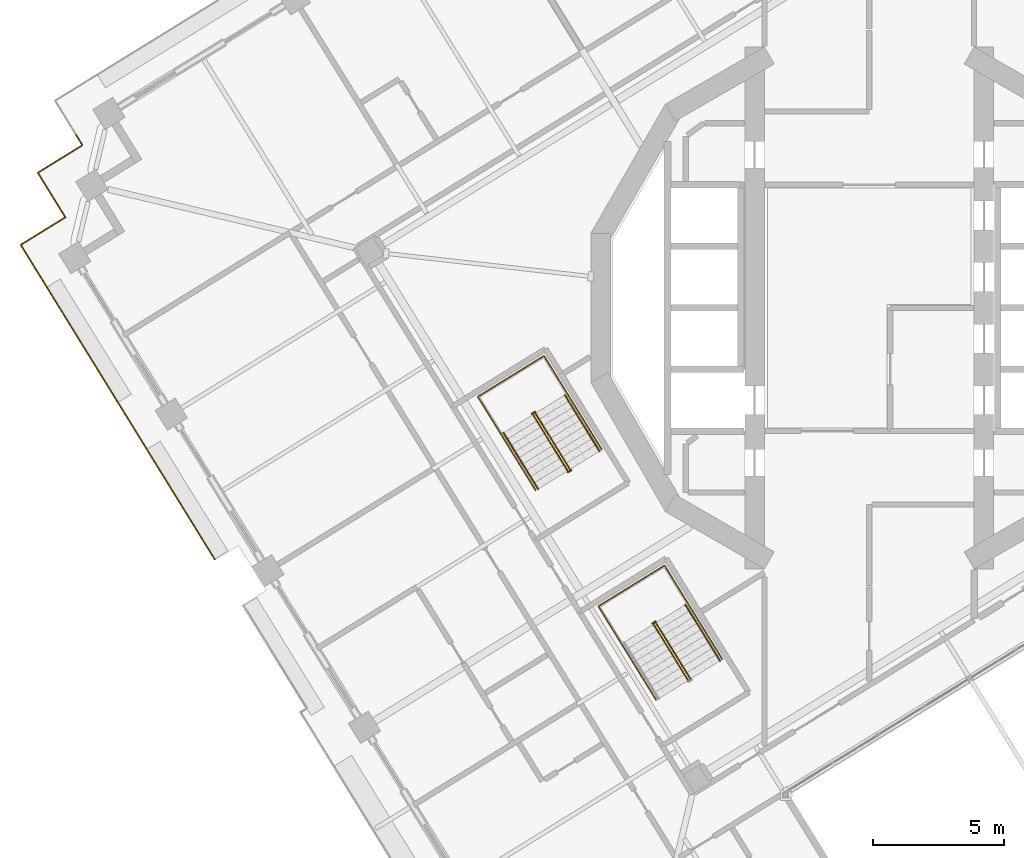
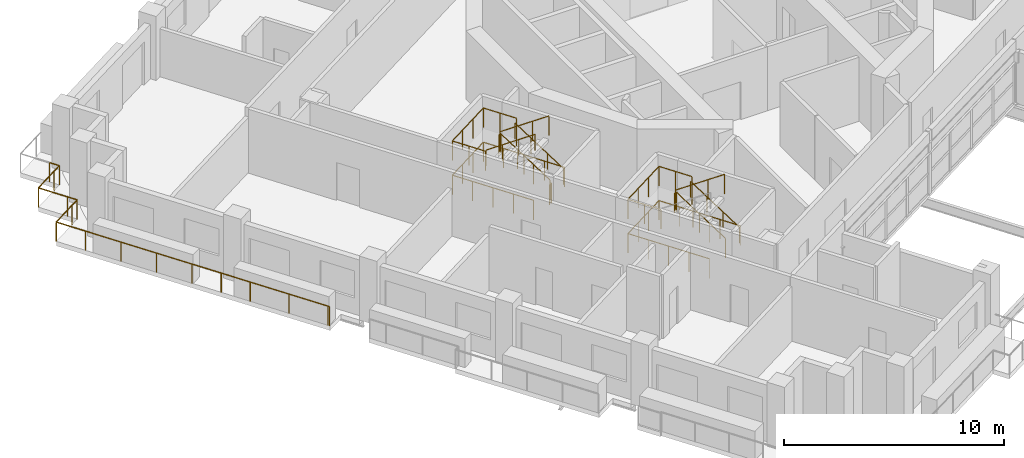
# One storey, part 17 of 22: 13 railings.
"""IFC4 building model written with IfcOpenShell, lengths in metres."""

from ifc_helpers import new_model, si_unit, direction, frame, origin, origin_2d, place, context, subcontext, project, spatial, circle, extrude, material, type_object, element, save


model = new_model("IFC4")

# Units and contexts
model_context = context("Model", 3, precision=1e-05, world=origin(), true_north=direction((0.0, 1.0)))
body_context = subcontext(model_context, "Body", "Model", "MODEL_VIEW")
ifc_project = project(units=[si_unit("LENGTHUNIT", "METRE"), si_unit("AREAUNIT", "SQUARE_METRE"), si_unit("VOLUMEUNIT", "CUBIC_METRE"), si_unit("PLANEANGLEUNIT", "RADIAN"), si_unit("MASSUNIT", "GRAM", prefix="KILO")], contexts=[model_context])

# Site, building, storey
site_placement = place(None, origin())
site = spatial("IfcSite", under=ifc_project, at=site_placement, CompositionType="ELEMENT")
building_placement = place(site_placement, origin())
building = spatial("IfcBuilding", under=site, at=building_placement, Name="Cantera Rosa Tower", CompositionType="ELEMENT")
storey_placement = place(building_placement, frame((0.0, 0.0, 174.199951171875)))
storey = spatial("IfcBuildingStorey", under=building, at=storey_placement, Name="L38", CompositionType="ELEMENT", Elevation=174.199951171875)

# Railings
ifc_material_1 = material(Name="Stainless steel and laminated glass", Category="steel")
railing_type_1 = type_object("IfcRailingType", Name="GUARD 1100", PredefinedType="BALUSTRADE", material=ifc_material_1)
railing_1_placement = place(storey_placement, frame((-24.977783203125, -9.602294921875, 0.0)))
element("IfcRailing", 1, at=railing_1_placement, inside=storey, type_object=railing_type_1, Name="GUARD L38-6", PredefinedType="BALUSTRADE", context=body_context, shape_type="SweptSolid", body=[
    extrude(circle(Radius=0.030029296875, at=origin_2d()), frame((0.0, 0.0, 1.070068359375), z_axis=(-0.523707774199, 0.851897979364, 0.0), x_axis=(-0.851897979364, -0.523707774199, 0.0)), (0.0, 0.0, 1.0), 0.06982421875),
    extrude(circle(Radius=0.030029296875, at=origin_2d()), frame((-0.03662109375, 0.0595703125, 1.070068359375), z_axis=(-0.525022161202, 0.851088556054, 0.0), x_axis=(-0.851088556054, -0.525022161202, 0.0)), (0.0, 0.0, 1.0), 4.02001953125),
    extrude(circle(Radius=0.030029296875, at=origin_2d()), frame((-2.147216796875, 3.48095703125, 1.070068359375), z_axis=(-0.524964362564, 0.851124208349, 0.0), x_axis=(-0.851124208349, -0.524964362564, 0.0)), (0.0, 0.0, 1.0), 3.0),
    extrude(circle(Radius=0.030029296875, at=origin_2d()), frame((-3.72216796875, 6.034423828125, 1.070068359375), z_axis=(-0.524968277683, 0.851121793533, 0.0), x_axis=(-0.851121793533, -0.524968277683, 0.0)), (0.0, 0.0, 1.0), 5.519775390625),
    extrude(circle(Radius=0.030029296875, at=origin_2d()), frame((-6.619873046875, 10.732421875, 1.070068359375), z_axis=(-0.524986950369, 0.851110276017, 0.0), x_axis=(-0.851110276017, -0.524986950369, 0.0)), (0.0, 0.0, 1.0), 1.500244140625),
    extrude(circle(Radius=0.030029296875, at=origin_2d()), frame((-7.407470703125, 12.00927734375, 1.070068359375), z_axis=(0.85118298814, 0.524869051004, 0.0), x_axis=(-0.524869051004, 0.85118298814, 0.0)), (0.0, 0.0, 1.0), 1.5),
    extrude(circle(Radius=0.030029296875, at=origin_2d()), frame((-6.130615234375, 12.796630859375, 1.070068359375), z_axis=(0.851138143202, 0.52494176933, 0.0), x_axis=(-0.52494176933, 0.851138143202, 0.0)), (0.0, 0.0, 1.0), 0.5),
    extrude(circle(Radius=0.030029296875, at=origin_2d()), frame((-5.705078125, 13.05908203125, 1.070068359375), z_axis=(-0.52494176933, 0.851138143202, 0.0), x_axis=(-0.851138143202, -0.52494176933, 0.0)), (0.0, 0.0, 1.0), 0.5),
    extrude(circle(Radius=0.030029296875, at=origin_2d()), frame((-5.967529296875, 13.484619140625, 1.070068359375), z_axis=(-0.524986950369, 0.851110276017, 0.0), x_axis=(-0.851110276017, -0.524986950369, 0.0)), (0.0, 0.0, 1.0), 1.500244140625),
    extrude(circle(Radius=0.030029296875, at=origin_2d()), frame((-6.755126953125, 14.761474609375, 1.070068359375), z_axis=(0.851138143202, 0.52494176933, 0.0), x_axis=(-0.52494176933, 0.851138143202, 0.0)), (0.0, 0.0, 1.0), 1.5),
    extrude(circle(Radius=0.030029296875, at=origin_2d()), frame((-5.478515625, 15.548828125, 1.070068359375), z_axis=(0.851138143202, 0.52494176933, 0.0), x_axis=(-0.52494176933, 0.851138143202, 0.0)), (0.0, 0.0, 1.0), 0.5),
    extrude(circle(Radius=0.030029296875, at=origin_2d()), frame((-5.052978515625, 15.811279296875, 1.070068359375), z_axis=(-0.52494176933, 0.851138143202, 0.0), x_axis=(-0.851138143202, -0.52494176933, 0.0)), (0.0, 0.0, 1.0), 0.5),
    extrude(circle(Radius=0.02490234375, at=origin_2d()), origin(), (0.0, 0.0, 1.0), 1.0400390625),
    extrude(circle(Radius=0.02490234375, at=origin_2d()), frame((-0.03662109375, 0.0595703125, 0.0)), (0.0, 0.0, 1.0), 1.0400390625),
    extrude(circle(Radius=0.02490234375, at=origin_2d()), frame((-1.091796875, 1.770263671875, 0.0)), (0.0, 0.0, 1.0), 1.0400390625),
    extrude(circle(Radius=0.02490234375, at=origin_2d()), frame((-2.147216796875, 3.48095703125, 0.0)), (0.0, 0.0, 1.0), 1.0400390625),
    extrude(circle(Radius=0.02490234375, at=origin_2d()), frame((-2.9345703125, 4.7578125, 0.0)), (0.0, 0.0, 1.0), 1.0400390625),
    extrude(circle(Radius=0.02490234375, at=origin_2d()), frame((-3.72216796875, 6.034423828125, 0.0)), (0.0, 0.0, 1.0), 1.0400390625),
    extrude(circle(Radius=0.02490234375, at=origin_2d()), frame((-4.68798828125, 7.600341796875, 0.0)), (0.0, 0.0, 1.0), 1.0400390625),
    extrude(circle(Radius=0.02490234375, at=origin_2d()), frame((-5.654052734375, 9.16650390625, 0.0)), (0.0, 0.0, 1.0), 1.0400390625),
    extrude(circle(Radius=0.02490234375, at=origin_2d()), frame((-6.619873046875, 10.732421875, 0.0)), (0.0, 0.0, 1.0), 1.0400390625),
    extrude(circle(Radius=0.02490234375, at=origin_2d()), frame((-7.407470703125, 12.00927734375, 0.0)), (0.0, 0.0, 1.0), 1.0400390625),
    extrude(circle(Radius=0.02490234375, at=origin_2d()), frame((-6.130615234375, 12.796630859375, 0.0)), (0.0, 0.0, 1.0), 1.0400390625),
    extrude(circle(Radius=0.02490234375, at=origin_2d()), frame((-5.705078125, 13.05908203125, 0.0)), (0.0, 0.0, 1.0), 1.0400390625),
    extrude(circle(Radius=0.02490234375, at=origin_2d()), frame((-5.967529296875, 13.484619140625, 0.0)), (0.0, 0.0, 1.0), 1.0400390625),
    extrude(circle(Radius=0.02490234375, at=origin_2d()), frame((-6.755126953125, 14.761474609375, 0.0)), (0.0, 0.0, 1.0), 1.0400390625),
    extrude(circle(Radius=0.02490234375, at=origin_2d()), frame((-5.478515625, 15.548828125, 0.0)), (0.0, 0.0, 1.0), 1.0400390625),
    extrude(circle(Radius=0.02490234375, at=origin_2d()), frame((-5.052978515625, 15.811279296875, 0.0)), (0.0, 0.0, 1.0), 1.0400390625),
    extrude(circle(Radius=0.02490234375, at=origin_2d()), frame((-5.3154296875, 16.23681640625, 0.0)), (0.0, 0.0, 1.0), 1.0400390625),
])
ifc_material_2 = material(Name="Steel S355J2 (EN 10025-2)", Category="steel")
railing_type_2 = type_object("IfcRailingType", Name="STAIR GUARD 1100", PredefinedType="GUARDRAIL", material=ifc_material_2)
railing_2_placement = place(storey_placement, frame((-11.42333984375, -6.165771484375, 0.18994140625)))
element("IfcRailing", 2, at=railing_2_placement, inside=storey, type_object=railing_type_2, Name="L38 ST-32 stair guard 1", PredefinedType="GUARDRAIL", context=body_context, shape_type="SweptSolid", body=[
    extrude(circle(Radius=0.02392578125, at=origin_2d()), frame((0.0, 0.0, 1.076171875), z_axis=(-0.434408057947, 0.704239673199, 0.561547969352), x_axis=(-0.851102330005, -0.524999832248, 0.0)), (0.0, 0.0, 1.0), 3.04541015625),
    extrude(circle(Radius=0.02392578125, at=origin_2d()), frame((-1.322998046875, 2.144775390625, 2.7861328125), z_axis=(-0.073711968402, 0.997279572494, 0.0), x_axis=(-0.997279572494, -0.073711968402, 0.0)), (0.0, 0.0, 1.0), 0.056396484375),
    extrude(circle(Radius=0.02392578125, at=origin_2d()), frame((-1.3271484375, 2.200927734375, 2.7861328125), z_axis=(-0.851546489876, -0.524279100842, 0.0), x_axis=(0.524279100842, -0.851546489876, 0.0)), (0.0, 0.0, 1.0), 0.14990234375),
    extrude(circle(Radius=0.02099609375, at=origin_2d()), origin(), (0.0, 0.0, 1.0), 1.052001953125),
    extrude(circle(Radius=0.02099609375, at=origin_2d()), frame((-0.44091796875, 0.71484375, 0.570068359375)), (0.0, 0.0, 1.0), 1.052001953125),
    extrude(circle(Radius=0.02099609375, at=origin_2d()), frame((-0.882080078125, 1.429931640625, 1.14013671875)), (0.0, 0.0, 1.0), 1.052001953125),
    extrude(circle(Radius=0.02099609375, at=origin_2d()), frame((-1.322998046875, 2.144775390625, 1.710205078125)), (0.0, 0.0, 1.0), 1.052001953125),
    extrude(circle(Radius=0.02099609375, at=origin_2d()), frame((-1.3271484375, 2.200927734375, 1.710205078125)), (0.0, 0.0, 1.0), 1.052001953125),
    extrude(circle(Radius=0.02099609375, at=origin_2d()), frame((-1.454833984375, 2.122314453125, 1.710205078125)), (0.0, 0.0, 1.0), 1.052001953125),
])
railing_3_placement = place(storey_placement, frame((-12.82958984375, -4.072509765625, 2.090087890625)))
element("IfcRailing", 3, at=railing_3_placement, inside=storey, type_object=railing_type_2, Name="L38 ST-32 stair guard 2", PredefinedType="GUARDRAIL", context=body_context, shape_type="SweptSolid", body=[
    extrude(circle(Radius=0.02392578125, at=origin_2d()), frame((0.0, 0.0, 1.076171875), z_axis=(0.434362572038, -0.70429590169, 0.561512634654), x_axis=(0.851145618652, 0.524929648476, 0.0)), (0.0, 0.0, 1.0), 3.045166015625),
    extrude(circle(Radius=0.02099609375, at=origin_2d()), origin(), (0.0, 0.0, 1.0), 1.052001953125),
    extrude(circle(Radius=0.02099609375, at=origin_2d()), frame((0.44091796875, -0.71484375, 0.570068359375)), (0.0, 0.0, 1.0), 1.052001953125),
    extrude(circle(Radius=0.02099609375, at=origin_2d()), frame((0.8818359375, -1.429931640625, 1.139892578125)), (0.0, 0.0, 1.0), 1.052001953125),
    extrude(circle(Radius=0.02099609375, at=origin_2d()), frame((1.32275390625, -2.144775390625, 1.7099609375)), (0.0, 0.0, 1.0), 1.052001953125),
])
railing_4_placement = place(storey_placement, frame((-11.375, -6.19482421875, 0.0)))
element("IfcRailing", 4, at=railing_4_placement, inside=storey, type_object=railing_type_2, Name="L38 ST-32 stair guard 3", PredefinedType="GUARDRAIL", context=body_context, shape_type="SweptSolid", body=[
    extrude(circle(Radius=0.02392578125, at=origin_2d()), frame((0.0, 0.0, 1.076171875), z_axis=(-0.851546489876, -0.524279100842, 0.0), x_axis=(0.524279100842, -0.851546489876, 0.0)), (0.0, 0.0, 1.0), 0.14990234375),
    extrude(circle(Radius=0.02099609375, at=origin_2d()), origin(), (0.0, 0.0, 1.0), 1.052001953125),
    extrude(circle(Radius=0.02099609375, at=origin_2d()), frame((-0.127685546875, -0.07861328125, 0.0)), (0.0, 0.0, 1.0), 1.052001953125),
])
railing_5_placement = place(storey_placement, frame((-10.20751953125, -5.40185546875, 0.0)))
element("IfcRailing", 5, at=railing_5_placement, inside=storey, type_object=railing_type_2, Name="L38 ST-32 stair guard 4", PredefinedType="GUARDRAIL", context=body_context, shape_type="SweptSolid", body=[
    extrude(circle(Radius=0.02392578125, at=origin_2d()), frame((0.0, 0.0, 1.076171875), z_axis=(-0.524976478809, 0.851116735059, 0.0), x_axis=(-0.851116735059, -0.524976478809, 0.0)), (0.0, 0.0, 1.0), 4.197998046875),
    extrude(circle(Radius=0.02392578125, at=origin_2d()), frame((-2.203857421875, 3.572998046875, 1.076171875), z_axis=(-0.851132917336, -0.524950242429, 0.0), x_axis=(0.524950242429, -0.851132917336, 0.0)), (0.0, 0.0, 1.0), 2.969970703125),
    extrude(circle(Radius=0.02392578125, at=origin_2d()), frame((-4.731689453125, 2.013916015625, 1.076171875), z_axis=(0.524976478809, -0.851116735059, 0.0), x_axis=(0.851116735059, 0.524976478809, 0.0)), (0.0, 0.0, 1.0), 4.197998046875),
    extrude(circle(Radius=0.02099609375, at=origin_2d()), origin(), (0.0, 0.0, 1.0), 1.052001953125),
    extrude(circle(Radius=0.02099609375, at=origin_2d()), frame((-0.551025390625, 0.893310546875, 0.0)), (0.0, 0.0, 1.0), 1.052001953125),
    extrude(circle(Radius=0.02099609375, at=origin_2d()), frame((-1.10205078125, 1.78662109375, 0.0)), (0.0, 0.0, 1.0), 1.052001953125),
    extrude(circle(Radius=0.02099609375, at=origin_2d()), frame((-1.65283203125, 2.6796875, 0.0)), (0.0, 0.0, 1.0), 1.052001953125),
    extrude(circle(Radius=0.02099609375, at=origin_2d()), frame((-2.203857421875, 3.572998046875, 0.0)), (0.0, 0.0, 1.0), 1.052001953125),
    extrude(circle(Radius=0.02099609375, at=origin_2d()), frame((-3.04638671875, 3.05322265625, 0.0)), (0.0, 0.0, 1.0), 1.052001953125),
    extrude(circle(Radius=0.02099609375, at=origin_2d()), frame((-3.88916015625, 2.53369140625, 0.0)), (0.0, 0.0, 1.0), 1.052001953125),
    extrude(circle(Radius=0.02099609375, at=origin_2d()), frame((-4.731689453125, 2.013916015625, 0.0)), (0.0, 0.0, 1.0), 1.052001953125),
    extrude(circle(Radius=0.02099609375, at=origin_2d()), frame((-4.1806640625, 1.12060546875, 0.0)), (0.0, 0.0, 1.0), 1.052001953125),
    extrude(circle(Radius=0.02099609375, at=origin_2d()), frame((-3.6298828125, 0.2275390625, 0.0)), (0.0, 0.0, 1.0), 1.052001953125),
    extrude(circle(Radius=0.02099609375, at=origin_2d()), frame((-3.078857421875, -0.665771484375, 0.0)), (0.0, 0.0, 1.0), 1.052001953125),
    extrude(circle(Radius=0.02099609375, at=origin_2d()), frame((-2.52783203125, -1.55908203125, 0.0)), (0.0, 0.0, 1.0), 1.052001953125),
])
railing_6_placement = place(storey_placement, frame((-11.517822265625, -3.27734375, 1.900146484375)))
element("IfcRailing", 6, at=railing_6_placement, inside=storey, type_object=railing_type_2, Name="L38 ST-32 stair guard 5", PredefinedType="GUARDRAIL", context=body_context, shape_type="SweptSolid", body=[
    extrude(circle(Radius=0.02392578125, at=origin_2d()), frame((0.0, 0.0, 1.076171875), z_axis=(-0.525025534833, 0.851086474909, 0.0), x_axis=(-0.851086474909, -0.525025534833, 0.0)), (0.0, 0.0, 1.0), 1.701904296875),
    extrude(circle(Radius=0.02392578125, at=origin_2d()), frame((-0.8935546875, 1.448486328125, 1.076171875), z_axis=(-0.851132917336, -0.524950242429, 0.0), x_axis=(0.524950242429, -0.851132917336, 0.0)), (0.0, 0.0, 1.0), 2.969970703125),
    extrude(circle(Radius=0.02392578125, at=origin_2d()), frame((-3.42138671875, -0.110595703125, 1.076171875), z_axis=(0.524961441845, -0.851126009811, 0.0), x_axis=(0.851126009811, 0.524961441845, 0.0)), (0.0, 0.0, 1.0), 1.7021484375),
    extrude(circle(Radius=0.02099609375, at=origin_2d()), origin(), (0.0, 0.0, 1.0), 1.052001953125),
    extrude(circle(Radius=0.02099609375, at=origin_2d()), frame((-0.44677734375, 0.72412109375, 0.0)), (0.0, 0.0, 1.0), 1.052001953125),
    extrude(circle(Radius=0.02099609375, at=origin_2d()), frame((-0.8935546875, 1.448486328125, 0.0)), (0.0, 0.0, 1.0), 1.052001953125),
    extrude(circle(Radius=0.02099609375, at=origin_2d()), frame((-1.736083984375, 0.9287109375, 0.0)), (0.0, 0.0, 1.0), 1.052001953125),
    extrude(circle(Radius=0.02099609375, at=origin_2d()), frame((-2.578857421875, 0.4091796875, 0.0)), (0.0, 0.0, 1.0), 1.052001953125),
    extrude(circle(Radius=0.02099609375, at=origin_2d()), frame((-3.42138671875, -0.110595703125, 0.0)), (0.0, 0.0, 1.0), 1.052001953125),
    extrude(circle(Radius=0.02099609375, at=origin_2d()), frame((-2.974609375, -0.8349609375, 0.0)), (0.0, 0.0, 1.0), 1.052001953125),
    extrude(circle(Radius=0.02099609375, at=origin_2d()), frame((-2.52783203125, -1.559326171875, 0.0)), (0.0, 0.0, 1.0), 1.052001953125),
])
railing_7_placement = place(storey_placement, frame((-6.8232421875, -14.165771484375, 0.18994140625)))
element("IfcRailing", 7, at=railing_7_placement, inside=storey, type_object=railing_type_2, Name="L38 ST-33 stair guard 1", PredefinedType="GUARDRAIL", context=body_context, shape_type="SweptSolid", body=[
    extrude(circle(Radius=0.02392578125, at=origin_2d()), frame((0.0, 0.0, 1.076171875), z_axis=(-0.434408057947, 0.704239673199, 0.561547969352), x_axis=(-0.851102330005, -0.524999832248, 0.0)), (0.0, 0.0, 1.0), 3.04541015625),
    extrude(circle(Radius=0.02392578125, at=origin_2d()), frame((-1.322998046875, 2.144775390625, 2.7861328125), z_axis=(-0.073711968402, 0.997279572494, 0.0), x_axis=(-0.997279572494, -0.073711968402, 0.0)), (0.0, 0.0, 1.0), 0.056396484375),
    extrude(circle(Radius=0.02392578125, at=origin_2d()), frame((-1.3271484375, 2.200927734375, 2.7861328125), z_axis=(-0.851546489876, -0.524279100842, 0.0), x_axis=(0.524279100842, -0.851546489876, 0.0)), (0.0, 0.0, 1.0), 0.14990234375),
    extrude(circle(Radius=0.02099609375, at=origin_2d()), origin(), (0.0, 0.0, 1.0), 1.052001953125),
    extrude(circle(Radius=0.02099609375, at=origin_2d()), frame((-0.44091796875, 0.71484375, 0.570068359375)), (0.0, 0.0, 1.0), 1.052001953125),
    extrude(circle(Radius=0.02099609375, at=origin_2d()), frame((-0.882080078125, 1.429931640625, 1.14013671875)), (0.0, 0.0, 1.0), 1.052001953125),
    extrude(circle(Radius=0.02099609375, at=origin_2d()), frame((-1.322998046875, 2.144775390625, 1.710205078125)), (0.0, 0.0, 1.0), 1.052001953125),
    extrude(circle(Radius=0.02099609375, at=origin_2d()), frame((-1.3271484375, 2.200927734375, 1.710205078125)), (0.0, 0.0, 1.0), 1.052001953125),
    extrude(circle(Radius=0.02099609375, at=origin_2d()), frame((-1.454833984375, 2.122314453125, 1.710205078125)), (0.0, 0.0, 1.0), 1.052001953125),
])
railing_8_placement = place(storey_placement, frame((-8.229736328125, -12.072509765625, 2.090087890625)))
element("IfcRailing", 8, at=railing_8_placement, inside=storey, type_object=railing_type_2, Name="L38 ST-33 stair guard 2", PredefinedType="GUARDRAIL", context=body_context, shape_type="SweptSolid", body=[
    extrude(circle(Radius=0.02392578125, at=origin_2d()), frame((0.0, 0.0, 1.076171875), z_axis=(0.434427613125, -0.704271375033, 0.561493080334), x_axis=(0.851102330005, 0.524999832248, 0.0)), (0.0, 0.0, 1.0), 3.04541015625),
    extrude(circle(Radius=0.02099609375, at=origin_2d()), origin(), (0.0, 0.0, 1.0), 1.052001953125),
    extrude(circle(Radius=0.02099609375, at=origin_2d()), frame((0.44091796875, -0.71484375, 0.570068359375)), (0.0, 0.0, 1.0), 1.052001953125),
    extrude(circle(Radius=0.02099609375, at=origin_2d()), frame((0.882080078125, -1.429931640625, 1.139892578125)), (0.0, 0.0, 1.0), 1.052001953125),
    extrude(circle(Radius=0.02099609375, at=origin_2d()), frame((1.322998046875, -2.144775390625, 1.7099609375)), (0.0, 0.0, 1.0), 1.052001953125),
])
railing_9_placement = place(storey_placement, frame((-5.607421875, -13.40185546875, 0.0)))
element("IfcRailing", 9, at=railing_9_placement, inside=storey, type_object=railing_type_2, Name="L38 ST-33 stair guard 4", PredefinedType="GUARDRAIL", context=body_context, shape_type="SweptSolid", body=[
    extrude(circle(Radius=0.02392578125, at=origin_2d()), frame((0.0, 0.0, 1.076171875), z_axis=(-0.524976478809, 0.851116735059, 0.0), x_axis=(-0.851116735059, -0.524976478809, 0.0)), (0.0, 0.0, 1.0), 4.197998046875),
    extrude(circle(Radius=0.02392578125, at=origin_2d()), frame((-2.203857421875, 3.572998046875, 1.076171875), z_axis=(-0.851132917336, -0.524950242429, 0.0), x_axis=(0.524950242429, -0.851132917336, 0.0)), (0.0, 0.0, 1.0), 2.969970703125),
    extrude(circle(Radius=0.02392578125, at=origin_2d()), frame((-4.731689453125, 2.013916015625, 1.076171875), z_axis=(0.524976478809, -0.851116735059, 0.0), x_axis=(0.851116735059, 0.524976478809, 0.0)), (0.0, 0.0, 1.0), 4.197998046875),
    extrude(circle(Radius=0.02099609375, at=origin_2d()), origin(), (0.0, 0.0, 1.0), 1.052001953125),
    extrude(circle(Radius=0.02099609375, at=origin_2d()), frame((-0.551025390625, 0.893310546875, 0.0)), (0.0, 0.0, 1.0), 1.052001953125),
    extrude(circle(Radius=0.02099609375, at=origin_2d()), frame((-1.10205078125, 1.78662109375, 0.0)), (0.0, 0.0, 1.0), 1.052001953125),
    extrude(circle(Radius=0.02099609375, at=origin_2d()), frame((-1.65283203125, 2.6796875, 0.0)), (0.0, 0.0, 1.0), 1.052001953125),
    extrude(circle(Radius=0.02099609375, at=origin_2d()), frame((-2.203857421875, 3.572998046875, 0.0)), (0.0, 0.0, 1.0), 1.052001953125),
    extrude(circle(Radius=0.02099609375, at=origin_2d()), frame((-3.04638671875, 3.05322265625, 0.0)), (0.0, 0.0, 1.0), 1.052001953125),
    extrude(circle(Radius=0.02099609375, at=origin_2d()), frame((-3.88916015625, 2.53369140625, 0.0)), (0.0, 0.0, 1.0), 1.052001953125),
    extrude(circle(Radius=0.02099609375, at=origin_2d()), frame((-4.731689453125, 2.013916015625, 0.0)), (0.0, 0.0, 1.0), 1.052001953125),
    extrude(circle(Radius=0.02099609375, at=origin_2d()), frame((-4.1806640625, 1.12060546875, 0.0)), (0.0, 0.0, 1.0), 1.052001953125),
    extrude(circle(Radius=0.02099609375, at=origin_2d()), frame((-3.6298828125, 0.2275390625, 0.0)), (0.0, 0.0, 1.0), 1.052001953125),
    extrude(circle(Radius=0.02099609375, at=origin_2d()), frame((-3.078857421875, -0.665771484375, 0.0)), (0.0, 0.0, 1.0), 1.052001953125),
    extrude(circle(Radius=0.02099609375, at=origin_2d()), frame((-2.52783203125, -1.55908203125, 0.0)), (0.0, 0.0, 1.0), 1.052001953125),
])
railing_10_placement = place(storey_placement, frame((-6.917724609375, -11.27734375, 1.900146484375)))
element("IfcRailing", 10, at=railing_10_placement, inside=storey, type_object=railing_type_2, Name="L38 ST-33 stair guard 5", PredefinedType="GUARDRAIL", context=body_context, shape_type="SweptSolid", body=[
    extrude(circle(Radius=0.02392578125, at=origin_2d()), frame((0.0, 0.0, 1.076171875), z_axis=(-0.525025534833, 0.851086474909, 0.0), x_axis=(-0.851086474909, -0.525025534833, 0.0)), (0.0, 0.0, 1.0), 1.701904296875),
    extrude(circle(Radius=0.02392578125, at=origin_2d()), frame((-0.8935546875, 1.448486328125, 1.076171875), z_axis=(-0.851132917336, -0.524950242429, 0.0), x_axis=(0.524950242429, -0.851132917336, 0.0)), (0.0, 0.0, 1.0), 2.969970703125),
    extrude(circle(Radius=0.02392578125, at=origin_2d()), frame((-3.42138671875, -0.110595703125, 1.076171875), z_axis=(0.524961441845, -0.851126009811, 0.0), x_axis=(0.851126009811, 0.524961441845, 0.0)), (0.0, 0.0, 1.0), 1.7021484375),
    extrude(circle(Radius=0.02099609375, at=origin_2d()), origin(), (0.0, 0.0, 1.0), 1.052001953125),
    extrude(circle(Radius=0.02099609375, at=origin_2d()), frame((-0.44677734375, 0.72412109375, 0.0)), (0.0, 0.0, 1.0), 1.052001953125),
    extrude(circle(Radius=0.02099609375, at=origin_2d()), frame((-0.8935546875, 1.448486328125, 0.0)), (0.0, 0.0, 1.0), 1.052001953125),
    extrude(circle(Radius=0.02099609375, at=origin_2d()), frame((-1.736083984375, 0.9287109375, 0.0)), (0.0, 0.0, 1.0), 1.052001953125),
    extrude(circle(Radius=0.02099609375, at=origin_2d()), frame((-2.578857421875, 0.4091796875, 0.0)), (0.0, 0.0, 1.0), 1.052001953125),
    extrude(circle(Radius=0.02099609375, at=origin_2d()), frame((-3.42138671875, -0.110595703125, 0.0)), (0.0, 0.0, 1.0), 1.052001953125),
    extrude(circle(Radius=0.02099609375, at=origin_2d()), frame((-2.974609375, -0.8349609375, 0.0)), (0.0, 0.0, 1.0), 1.052001953125),
    extrude(circle(Radius=0.02099609375, at=origin_2d()), frame((-2.52783203125, -1.559326171875, 0.0)), (0.0, 0.0, 1.0), 1.052001953125),
])
ifc_material_3 = material(Name="Steel S355J2 (EN 10025-2)", Category="steel")
railing_type_3 = type_object("IfcRailingType", Name="STAIR HANDRAIL 900", PredefinedType="HANDRAIL", material=ifc_material_3)
railing_11_placement = place(storey_placement, frame((-10.294677734375, -5.4697265625, 0.18994140625)))
element("IfcRailing", 11, at=railing_11_placement, inside=storey, type_object=railing_type_3, Name="L38 ST-32 stair handrail 1", PredefinedType="HANDRAIL", context=body_context, shape_type="SweptSolid", body=[
    extrude(circle(Radius=0.02392578125, at=origin_2d()), frame((0.0, 0.0, 0.8759765625), z_axis=(-0.434408057947, 0.704239673199, 0.561547969352), x_axis=(-0.851102330005, -0.524999832248, 0.0)), (0.0, 0.0, 1.0), 3.04541015625),
    extrude(circle(Radius=0.02099609375, at=origin_2d()), origin(), (0.0, 0.0, 1.0), 0.851806640625),
    extrude(circle(Radius=0.02099609375, at=origin_2d()), frame((-0.44091796875, 0.71484375, 0.570068359375)), (0.0, 0.0, 1.0), 0.851806640625),
    extrude(circle(Radius=0.02099609375, at=origin_2d()), frame((-0.882080078125, 1.429931640625, 1.14013671875)), (0.0, 0.0, 1.0), 0.851806640625),
    extrude(circle(Radius=0.02099609375, at=origin_2d()), frame((-1.322998046875, 2.144775390625, 1.710205078125)), (0.0, 0.0, 1.0), 0.851806640625),
])
railing_12_placement = place(storey_placement, frame((-13.958251953125, -4.7685546875, 2.090087890625)))
element("IfcRailing", 12, at=railing_12_placement, inside=storey, type_object=railing_type_3, Name="L38 ST-32 stair handrail 2", PredefinedType="HANDRAIL", context=body_context, shape_type="SweptSolid", body=[
    extrude(circle(Radius=0.02392578125, at=origin_2d()), frame((0.0, 0.0, 0.8759765625), z_axis=(0.434427613125, -0.704271375033, 0.561493080334), x_axis=(0.851102330005, 0.524999832248, 0.0)), (0.0, 0.0, 1.0), 3.04541015625),
    extrude(circle(Radius=0.02099609375, at=origin_2d()), origin(), (0.0, 0.0, 1.0), 0.851806640625),
    extrude(circle(Radius=0.02099609375, at=origin_2d()), frame((0.44091796875, -0.71484375, 0.570068359375)), (0.0, 0.0, 1.0), 0.851806640625),
    extrude(circle(Radius=0.02099609375, at=origin_2d()), frame((0.882080078125, -1.429931640625, 1.139892578125)), (0.0, 0.0, 1.0), 0.851806640625),
    extrude(circle(Radius=0.02099609375, at=origin_2d()), frame((1.322998046875, -2.144775390625, 1.7099609375)), (0.0, 0.0, 1.0), 0.851806640625),
])
railing_13_placement = place(storey_placement, frame((-5.69482421875, -13.4697265625, 0.18994140625)))
element("IfcRailing", 13, at=railing_13_placement, inside=storey, type_object=railing_type_3, Name="L38 ST-33 stair handrail 1", PredefinedType="HANDRAIL", context=body_context, shape_type="SweptSolid", body=[
    extrude(circle(Radius=0.02392578125, at=origin_2d()), frame((0.0, 0.0, 0.8759765625), z_axis=(-0.434343018426, 0.704264196543, 0.561567523823), x_axis=(-0.851145618652, -0.524929648476, 0.0)), (0.0, 0.0, 1.0), 3.04541015625),
    extrude(circle(Radius=0.02099609375, at=origin_2d()), origin(), (0.0, 0.0, 1.0), 0.851806640625),
    extrude(circle(Radius=0.02099609375, at=origin_2d()), frame((-0.44091796875, 0.71484375, 0.570068359375)), (0.0, 0.0, 1.0), 0.851806640625),
    extrude(circle(Radius=0.02099609375, at=origin_2d()), frame((-0.8818359375, 1.429931640625, 1.14013671875)), (0.0, 0.0, 1.0), 0.851806640625),
    extrude(circle(Radius=0.02099609375, at=origin_2d()), frame((-1.32275390625, 2.144775390625, 1.710205078125)), (0.0, 0.0, 1.0), 0.851806640625),
])

save(model, "model.ifc")
